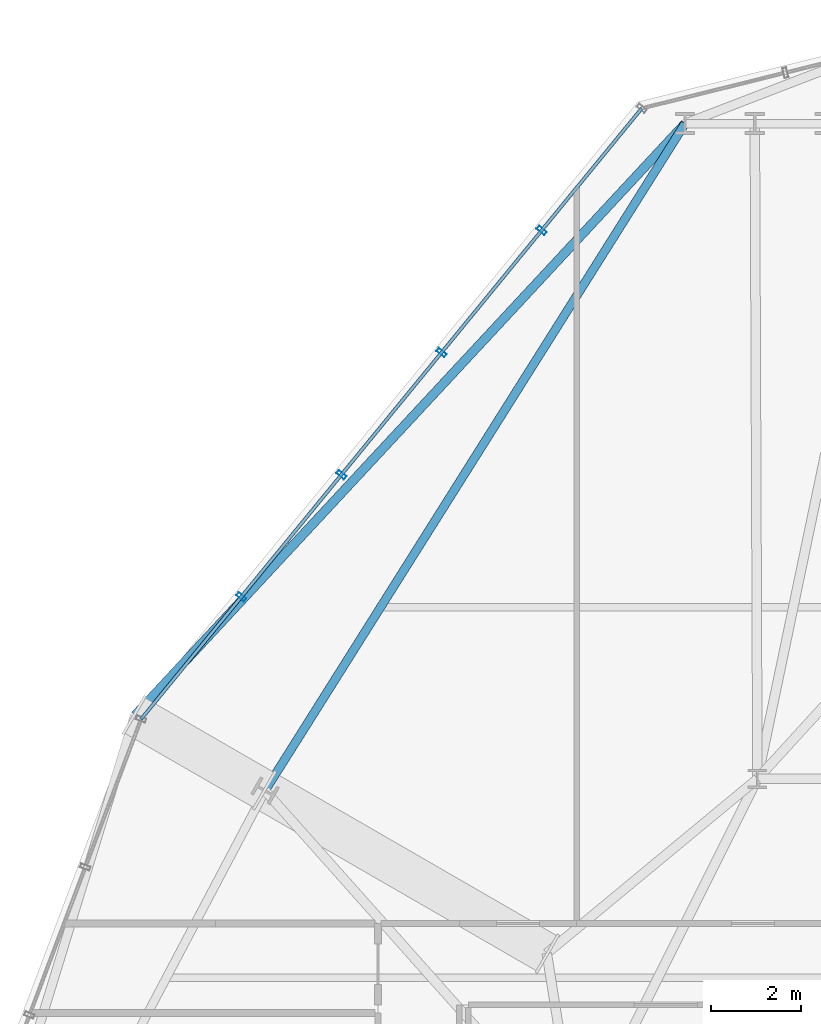
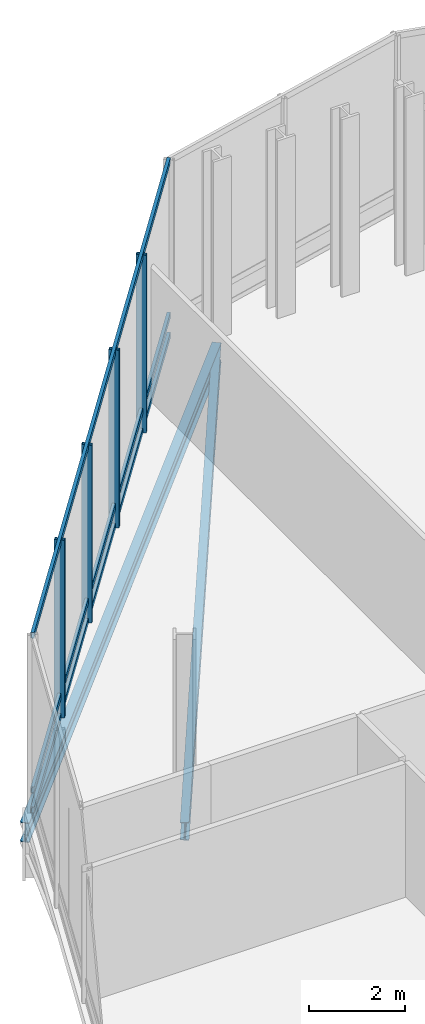
# One storey, part 15 of 26: 7 members, 2 beams, 1 element without a shape of its own.
"""IFC4 building model written with IfcOpenShell, lengths in metres."""

from ifc_helpers import new_model, si_unit, direction, frame, origin, origin_2d, place, context, subcontext, project, spatial, hollow_rectangle, i_section, extrude, material, layer, layer_set, material_profile, profile_set, type_object, element, aggregate, save


model = new_model("IFC4")

# Units and contexts
model_context = context("Model", 3, precision=1e-05, world=origin(), true_north=direction((0.0, 1.0)))
body_context = subcontext(model_context, "Body", "Model", "MODEL_VIEW")
ifc_project = project(units=[si_unit("LENGTHUNIT", "METRE"), si_unit("AREAUNIT", "SQUARE_METRE"), si_unit("VOLUMEUNIT", "CUBIC_METRE"), si_unit("PLANEANGLEUNIT", "RADIAN"), si_unit("MASSUNIT", "GRAM", prefix="KILO")], contexts=[model_context])

# Site, building, storey
site_placement = place(None, origin())
site = spatial("IfcSite", under=ifc_project, at=site_placement, CompositionType="ELEMENT")
building_placement = place(site_placement, origin())
building = spatial("IfcBuilding", under=site, at=building_placement, Name="Ndaravel Arena Tower", CompositionType="ELEMENT")
storey_placement = place(building_placement, frame((0.0, 0.0, 117.39990234375)))
storey = spatial("IfcBuildingStorey", under=building, at=storey_placement, Name="L27", CompositionType="ELEMENT", Elevation=117.39990234375)

# Beams
ifc_material_1 = material(Name="Steel S355", Category="steel")
ifc_material_profile_1 = material_profile(ifc_material_1, i_section(OverallWidth=0.18994140625, OverallDepth=0.449951171875, WebThickness=0.009521484375, FlangeThickness=0.0146484375, FilletRadius=0.02099609375, at=origin_2d()), Name="IPE 450")
ifc_profile_set_1 = profile_set([ifc_material_profile_1], Name="Steel S355")
beam_type_1 = type_object("IfcBeamType", Name="BM-SPAN-IPE450", PredefinedType="SPANDREL", material=ifc_profile_set_1)
beam_1_placement = place(storey_placement, frame((36.598388671875, 45.7041015625, -0.5048828125), z_axis=(-0.532796941141, -0.846243120806, 0.0), x_axis=(0.846243120806, -0.532796941141, 0.0)))
element("IfcBeam", 1, at=beam_1_placement, inside=storey, type_object=beam_type_1, Name="L27 Perimeter Spandrel Beam SP-18", PredefinedType="SPANDREL", context=body_context, shape_type="SweptSolid", body=[
    extrude(i_section(OverallWidth=0.18994140625, OverallDepth=0.449951171875, WebThickness=0.009521484375, FlangeThickness=0.0146484375, FilletRadius=0.02099609375, at=origin_2d()), origin(), (0.0, 0.0, 1.0), 17.44873046875),
])
ifc_material_2 = material(Name="Steel S355", Category="steel")
ifc_material_profile_2 = material_profile(ifc_material_2, i_section(OverallWidth=0.199951171875, OverallDepth=0.5, WebThickness=0.01025390625, FlangeThickness=0.01611328125, FilletRadius=0.02099609375, at=origin_2d()), Name="IPE 500")
ifc_profile_set_2 = profile_set([ifc_material_profile_2], Name="Steel S355")
beam_type_2 = type_object("IfcBeamType", Name="BM-SPAN-IPE500", PredefinedType="SPANDREL", material=ifc_profile_set_2)
beam_2_placement = place(storey_placement, frame((36.598388671875, 45.7041015625, -0.52978515625), z_axis=(-0.680919474805, -0.732358292662, 0.0), x_axis=(0.732358292662, -0.680919474805, 0.0)))
element("IfcBeam", 2, at=beam_2_placement, inside=storey, type_object=beam_type_2, Name="L27 Star Facet Edge Beam SEA-6", PredefinedType="SPANDREL", context=body_context, shape_type="SweptSolid", body=[
    extrude(i_section(OverallWidth=0.199951171875, OverallDepth=0.5, WebThickness=0.01025390625, FlangeThickness=0.01611328125, FilletRadius=0.02099609375, at=origin_2d()), origin(), (0.0, 0.0, 1.0), 17.888671875),
])

# Curtain wall, members
ifc_material_3 = material(Name="Aluminium", Category="aluminium")
ifc_layer = layer(ifc_material_3, 0.179931640625)
ifc_layer_set = layer_set([ifc_layer], Name="Aluminium")
curtain_wall_type = type_object("IfcCurtainWallType", Name="CW-SYS-04", PredefinedType="NOTDEFINED", material=ifc_layer_set)
curtain_wall_placement = place(storey_placement, origin())
curtain_wall = element("IfcCurtainWall", 3, at=curtain_wall_placement, inside=storey, type_object=curtain_wall_type, Name="L27 Faceted Crystal Curtain Wall CW-L27-E10", PredefinedType="NOTDEFINED")
ifc_material_4 = material(Name="Aluminium", Category="aluminium")
ifc_material_profile_3 = material_profile(ifc_material_4, hollow_rectangle(XDim=0.090087890625, YDim=0.219970703125, WallThickness=0.0048828125, at=origin_2d()), Name="CW MULLION 90x220x5")
ifc_profile_set_3 = profile_set([ifc_material_profile_3], Name="Aluminium")
member_type_1 = type_object("IfcMemberType", Name="MEM-CW-MUL220", PredefinedType="MULLION", material=ifc_profile_set_3)
member_1_placement = place(storey_placement, frame((33.42333984375, 43.337646484375, 0.0), z_axis=(0.0, 0.0, 1.0), x_axis=(-0.633934458857, -0.773386773791, 0.0)))
member_1 = element("IfcMember", 4, at=member_1_placement, type_object=member_type_1, Name="CW-L27-E10 Mullion 01", PredefinedType="MULLION", context=body_context, shape_type="SweptSolid", body=[
    extrude(hollow_rectangle(XDim=0.090087890625, YDim=0.219970703125, WallThickness=0.0048828125, at=origin_2d()), origin(), (0.0, 0.0, 1.0), 4.52001953125),
])
member_2_placement = place(storey_placement, frame((31.20703125, 40.6337890625, 0.0), z_axis=(0.0, 0.0, 1.0), x_axis=(-0.633934458857, -0.773386773791, 0.0)))
member_2 = element("IfcMember", 5, at=member_2_placement, type_object=member_type_1, Name="CW-L27-E10 Mullion 02", PredefinedType="MULLION", context=body_context, shape_type="SweptSolid", body=[
    extrude(hollow_rectangle(XDim=0.090087890625, YDim=0.219970703125, WallThickness=0.0048828125, at=origin_2d()), origin(), (0.0, 0.0, 1.0), 4.52001953125),
])
member_3_placement = place(storey_placement, frame((28.99072265625, 37.929931640625, 0.0), z_axis=(0.0, 0.0, 1.0), x_axis=(-0.633934458857, -0.773386773791, 0.0)))
member_3 = element("IfcMember", 6, at=member_3_placement, type_object=member_type_1, Name="CW-L27-E10 Mullion 03", PredefinedType="MULLION", context=body_context, shape_type="SweptSolid", body=[
    extrude(hollow_rectangle(XDim=0.090087890625, YDim=0.219970703125, WallThickness=0.0048828125, at=origin_2d()), origin(), (0.0, 0.0, 1.0), 4.52001953125),
])
member_4_placement = place(storey_placement, frame((26.7744140625, 35.22607421875, 0.0), z_axis=(0.0, 0.0, 1.0), x_axis=(-0.633934458857, -0.773386773791, 0.0)))
member_4 = element("IfcMember", 7, at=member_4_placement, type_object=member_type_1, Name="CW-L27-E10 Mullion 04", PredefinedType="MULLION", context=body_context, shape_type="SweptSolid", body=[
    extrude(hollow_rectangle(XDim=0.090087890625, YDim=0.219970703125, WallThickness=0.0048828125, at=origin_2d()), origin(), (0.0, 0.0, 1.0), 4.52001953125),
])
ifc_material_5 = material(Name="Aluminium", Category="aluminium")
ifc_material_profile_4 = material_profile(ifc_material_5, hollow_rectangle(XDim=0.074951171875, YDim=0.14990234375, WallThickness=0.00390625, at=origin_2d()), Name="CW TRANSOM 75x150x4")
ifc_profile_set_4 = profile_set([ifc_material_profile_4], Name="Aluminium")
member_type_2 = type_object("IfcMemberType", Name="MEM-CW-TRN150", PredefinedType="USERDEFINED", material=ifc_profile_set_4)
member_5_placement = place(storey_placement, frame((35.6396484375, 46.04150390625, 0.0400390625), z_axis=(-0.633933432757, -0.773387614869, 0.0), x_axis=(0.773387614869, -0.633933432757, 0.0)))
member_5 = element("IfcMember", 8, at=member_5_placement, type_object=member_type_2, Name="CW-L27-E10 Transom 01", ObjectType="TRANSOM", PredefinedType="USERDEFINED", context=body_context, shape_type="SweptSolid", body=[
    extrude(hollow_rectangle(XDim=0.074951171875, YDim=0.14990234375, WallThickness=0.00390625, at=origin_2d()), origin(), (0.0, 0.0, 1.0), 17.480712890625),
])
member_6_placement = place(storey_placement, frame((35.6396484375, 46.04150390625, 0.550048828125), z_axis=(-0.633933432757, -0.773387614869, 0.0), x_axis=(0.773387614869, -0.633933432757, 0.0)))
member_6 = element("IfcMember", 9, at=member_6_placement, type_object=member_type_2, Name="CW-L27-E10 Transom 02", ObjectType="TRANSOM", PredefinedType="USERDEFINED", context=body_context, shape_type="SweptSolid", body=[
    extrude(hollow_rectangle(XDim=0.074951171875, YDim=0.14990234375, WallThickness=0.00390625, at=origin_2d()), origin(), (0.0, 0.0, 1.0), 17.480712890625),
])
member_7_placement = place(storey_placement, frame((35.6396484375, 46.04150390625, 4.47998046875), z_axis=(-0.633933432757, -0.773387614869, 0.0), x_axis=(0.773387614869, -0.633933432757, 0.0)))
member_7 = element("IfcMember", 10, at=member_7_placement, type_object=member_type_2, Name="CW-L27-E10 Transom 03", ObjectType="TRANSOM", PredefinedType="USERDEFINED", context=body_context, shape_type="SweptSolid", body=[
    extrude(hollow_rectangle(XDim=0.074951171875, YDim=0.14990234375, WallThickness=0.00390625, at=origin_2d()), origin(), (0.0, 0.0, 1.0), 17.480712890625),
])
aggregate(curtain_wall, [member_1, member_2, member_3, member_4, member_5, member_6, member_7])

save(model, "model.ifc")
